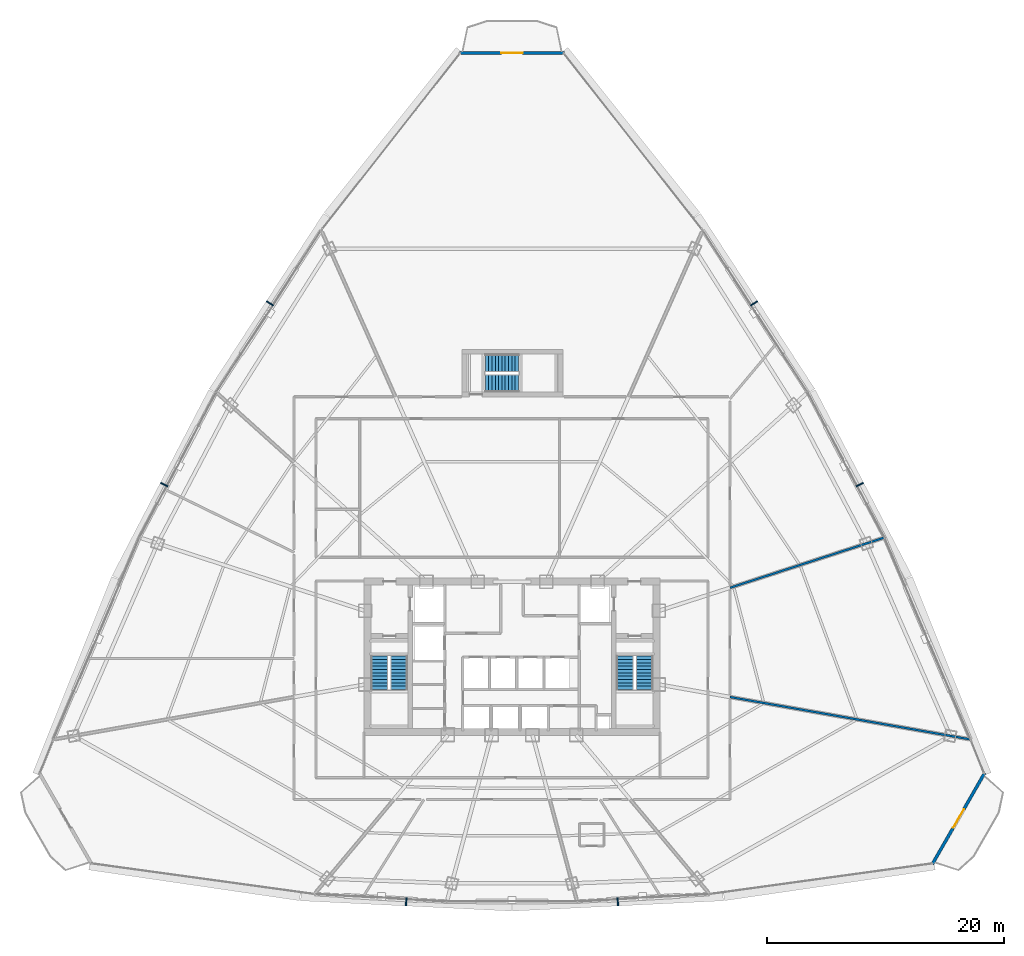
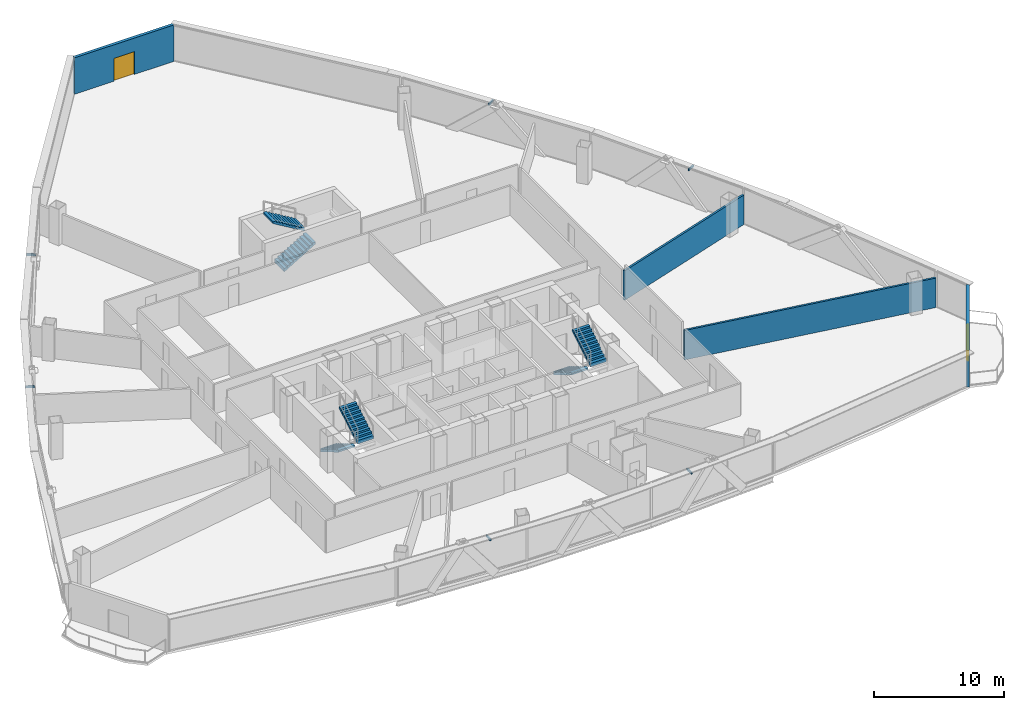
# One storey, part 35 of 39: 6 discrete accessories, 6 stair flights, 4 walls, 2 doors, 2 openings, 3 elements without a shape of their own.
"""IFC4 building model written with IfcOpenShell, lengths in metres."""

from ifc_helpers import new_model, si_unit, direction, frame, frame_2d, origin, origin_with_axes, origin_2d, place, context, subcontext, project, spatial, polyline, rectangle, outline, extrude, source, transform, mapped, material, layer, layer_set, type_object, element, fill, aggregate, save


model = new_model("IFC4")

# Units and contexts
model_context = context("Model", 3, precision=1e-05, world=origin(), true_north=direction((0.0, 1.0)))
body_context = subcontext(model_context, "Body", "Model", "MODEL_VIEW")
ifc_project = project(units=[si_unit("LENGTHUNIT", "METRE"), si_unit("AREAUNIT", "SQUARE_METRE"), si_unit("VOLUMEUNIT", "CUBIC_METRE"), si_unit("PLANEANGLEUNIT", "RADIAN"), si_unit("MASSUNIT", "GRAM", prefix="KILO"), si_unit("THERMODYNAMICTEMPERATUREUNIT", "KELVIN"), si_unit("POWERUNIT", "WATT")], contexts=[model_context])

# Site, building, storey
site_placement = place(None, origin())
site = spatial("IfcSite", under=ifc_project, at=site_placement, CompositionType="ELEMENT")
building_placement = place(site_placement, origin())
building = spatial("IfcBuilding", under=site, at=building_placement, Name="Yunzhuo Pagoda Commons", CompositionType="ELEMENT")
storey_placement = place(building_placement, frame((0.0, 0.0, 148.22998046875)))
storey = spatial("IfcBuildingStorey", under=building, at=storey_placement, Name="L37", CompositionType="ELEMENT", Elevation=148.22998046875)

# Wall, opening, door
ifc_material_1 = material(Name="Precast concrete C40", Category="concrete")
ifc_layer_1 = layer(ifc_material_1, 0.260009765625)
ifc_layer_set_1 = layer_set([ifc_layer_1], Name="Precast concrete C40")
wall_type_1 = type_object("IfcWallType", Name="W-BAL1 Corner Balcony Threshold Wall 260", PredefinedType="STANDARD", material=ifc_layer_set_1)
wall_1_placement = place(storey_placement, frame((83.48779296875, 16.356201171875, 0.0), z_axis=(0.0, 0.0, 1.0), x_axis=(0.497915888941, 0.867225326856, 0.0)))
wall_1 = element("IfcWall", 1, at=wall_1_placement, inside=storey, type_object=wall_type_1, Name="L37 corner balcony wall V2", PredefinedType="STANDARD", context=body_context, shape_type="SweptSolid", body=[
    extrude(rectangle(XDim=8.857666015625, YDim=0.260009765625, at=frame_2d((4.4287109375, 0.0))), origin(), (0.0, 0.0, 1.0), 3.419921875),
])
opening_1_placement = place(wall_1_placement, frame((3.52880859375, 0.0, 0.0)))
opening_1 = element("IfcOpeningElement", 2, at=opening_1_placement, cuts=wall_1, Name="Opening D-BAL1", PredefinedType="OPENING", context=body_context, shape_type="SweptSolid", body=[
    extrude(rectangle(XDim=1.800048828125, YDim=2.14990234375, at=frame_2d((0.89990234375, 1.074951171875))), frame((0.0, 0.14013671875, 0.0), z_axis=(0.0, -1.0, 0.0), x_axis=(1.0, 0.0, 0.0)), (0.0, 0.0, 1.0), 0.280029296875),
])
ifc_material_2 = material(Name="Anodized aluminium frame and tempered glazed leaf", Category="aluminium")
door_type = type_object("IfcDoorType", Name="D-BAL1 Corner Balcony Sliding Glazed Door 1800x2150", OperationType="DOUBLE_DOOR_SLIDING", PredefinedType="DOOR", material=ifc_material_2)
shared_shape_1 = source(origin(), body_context, "Body", "SweptSolid", [
    extrude(rectangle(XDim=1.800048828125, YDim=2.14990234375, at=frame_2d((0.89990234375, 1.074951171875))), frame((0.0, 0.02490234375, 0.0), z_axis=(0.0, -1.0, 0.0), x_axis=(1.0, 0.0, 0.0)), (0.0, 0.0, 1.0), 0.050048828125),
])
door_1_placement = place(opening_1_placement, origin_with_axes())
door_1 = element("IfcDoor", 3, at=door_1_placement, inside=storey, type_object=door_type, Name="L37 corner balcony sliding door V2", OperationType="DOUBLE_DOOR_SLIDING", OverallHeight=2.14990234375, OverallWidth=1.800048828125, PredefinedType="DOOR", context=body_context, shape_type="MappedRepresentation", body=[
    mapped(shared_shape_1, transform((0.0, 0.0, 0.0), scale=1.0)),
])
fill(opening_1, door_1)

wall_2_placement = place(storey_placement, frame((52.4111328125, 84.828369140625, 0.0), z_axis=(0.0, 0.0, 1.0), x_axis=(-1.0, 0.0, 0.0)))
wall_2 = element("IfcWall", 4, at=wall_2_placement, inside=storey, type_object=wall_type_1, Name="L37 corner balcony wall V3", PredefinedType="STANDARD", context=body_context, shape_type="SweptSolid", body=[
    extrude(rectangle(XDim=8.822265625, YDim=0.260009765625, at=frame_2d((4.4111328125, 0.0))), origin(), (0.0, 0.0, 1.0), 3.419921875),
])
opening_2_placement = place(wall_2_placement, frame((3.510986328125, 0.0, 0.0)))
opening_2 = element("IfcOpeningElement", 5, at=opening_2_placement, cuts=wall_2, Name="Opening D-BAL1", PredefinedType="OPENING", context=body_context, shape_type="SweptSolid", body=[
    extrude(rectangle(XDim=1.800048828125, YDim=2.14990234375, at=frame_2d((0.89990234375, 1.074951171875))), frame((0.0, 0.14013671875, 0.0), z_axis=(0.0, -1.0, 0.0), x_axis=(1.0, 0.0, 0.0)), (0.0, 0.0, 1.0), 0.280029296875),
])
door_2_placement = place(opening_2_placement, origin_with_axes())
door_2 = element("IfcDoor", 6, at=door_2_placement, inside=storey, type_object=door_type, Name="L37 corner balcony sliding door V3", OperationType="DOUBLE_DOOR_SLIDING", OverallHeight=2.14990234375, OverallWidth=1.800048828125, PredefinedType="DOOR", context=body_context, shape_type="MappedRepresentation", body=[
    mapped(shared_shape_1, transform((0.0, 0.0, 0.0), scale=1.0)),
])
fill(opening_2, door_2)

# Walls
ifc_material_3 = material(Name="Gypsum plasterboard on acoustic stud")
ifc_layer_2 = layer(ifc_material_3, 0.175048828125)
ifc_layer_set_2 = layer_set([ifc_layer_2], Name="Gypsum plasterboard on acoustic stud")
wall_type_2 = type_object("IfcWallType", Name="W-PRT3 Mid-Zone Demising Wall 175", PredefinedType="PARTITIONING", material=ifc_layer_set_2)
wall_3_placement = place(storey_placement, frame((66.39990234375, 39.678466796875, 0.0), z_axis=(0.0, 0.0, 1.0), x_axis=(0.951057598357, 0.309013664112, 0.0)))
element("IfcWall", 7, at=wall_3_placement, inside=storey, type_object=wall_type_2, Name="L37 interior wall IW-L37-RAD01", PredefinedType="PARTITIONING", context=body_context, shape_type="SweptSolid", body=[
    extrude(rectangle(XDim=13.723388671875, YDim=0.175048828125, at=frame_2d((6.86181640625, 0.0))), origin(), (0.0, 0.0, 1.0), 2.77001953125),
])
wall_4_placement = place(storey_placement, frame((66.39990234375, 30.45556640625, 0.0), z_axis=(0.0, 0.0, 1.0), x_axis=(0.984807623882, -0.173648909998, 0.0)))
element("IfcWall", 8, at=wall_4_placement, inside=storey, type_object=wall_type_2, Name="L37 interior wall IW-L37-RAD14", PredefinedType="PARTITIONING", context=body_context, shape_type="SweptSolid", body=[
    extrude(rectangle(XDim=20.622314453125, YDim=0.175048828125, at=frame_2d((10.31103515625, 0.0))), origin(), (0.0, 0.0, 1.0), 2.77001953125),
])

# Stair, stair flights
ifc_material_4 = material(Name="Concrete C40", Category="concrete")
stair_type_1 = type_object("IfcStairType", Name="ST-C1 Core Smokeproof Stair ST1", PredefinedType="HALF_TURN_STAIR", material=ifc_material_4)
stair_1_placement = place(storey_placement, origin())
stair_1 = element("IfcStair", 9, at=stair_1_placement, inside=storey, type_object=stair_type_1, Name="L37 Core smokeproof stair ST1", PredefinedType="HALF_TURN_STAIR")
stair_flight_type_1 = type_object("IfcStairFlightType", Name="STF-C1 Core Stair Flight 1450", PredefinedType="STRAIGHT", material=ifc_material_4)
shared_shape_2 = source(origin(), body_context, "Body", "SweptSolid", [
    extrude(outline(polyline([(0.0, -0.14990234375), (0.0, 0.0), (0.0, 0.167236328125), (0.280029296875, 0.167236328125), (0.280029296875, 0.33447265625), (0.56005859375, 0.33447265625), (0.56005859375, 0.501708984375), (0.840087890625, 0.501708984375), (0.840087890625, 0.669189453125), (1.1201171875, 0.669189453125), (1.1201171875, 0.83642578125), (1.39990234375, 0.83642578125), (1.39990234375, 1.003662109375), (1.679931640625, 1.003662109375), (1.679931640625, 1.1708984375), (1.9599609375, 1.1708984375), (1.9599609375, 1.338134765625), (2.239990234375, 1.338134765625), (2.239990234375, 1.50537109375), (2.52001953125, 1.50537109375), (2.52001953125, 1.672607421875), (2.800048828125, 1.672607421875), (2.800048828125, 1.840087890625), (2.800048828125, 1.498046875), (0.292236328125, 0.0), (0.050048828125, -0.14990234375), (0.0, -0.14990234375)])), frame((0.0, 0.72509765625, 0.0), z_axis=(0.0, -1.0, 0.0), x_axis=(1.0, 0.0, 0.0)), (0.0, 0.0, 1.0), 1.449951171875),
])
stair_flight_1_placement = place(storey_placement, frame((36.824951171875, 33.89990234375, 0.0), z_axis=(0.0, 0.0, 1.0), x_axis=(0.0, -1.0, 0.0)))
stair_flight_1 = element("IfcStairFlight", 10, at=stair_flight_1_placement, type_object=stair_flight_type_1, Name="ST1 flight 1", NumberOfRisers=11, NumberOfTreads=10, PredefinedType="STRAIGHT", RiserHeight=0.167272727, TreadLength=0.28, context=body_context, shape_type="MappedRepresentation", body=[
    mapped(shared_shape_2, transform((0.0, 0.0, 0.0), scale=1.0)),
])
stair_flight_2_placement = place(storey_placement, frame((38.47509765625, 31.10009765625, 1.840087890625), z_axis=(0.0, 0.0, 1.0), x_axis=(0.0, 1.0, 0.0)))
stair_flight_2 = element("IfcStairFlight", 11, at=stair_flight_2_placement, type_object=stair_flight_type_1, Name="ST1 flight 2", NumberOfRisers=11, NumberOfTreads=10, PredefinedType="STRAIGHT", RiserHeight=0.167272727, TreadLength=0.28, context=body_context, shape_type="MappedRepresentation", body=[
    mapped(shared_shape_2, transform((0.0, 0.0, 0.0), scale=1.0)),
])
aggregate(stair_1, [stair_flight_1, stair_flight_2])

stair_type_2 = type_object("IfcStairType", Name="ST-C2 Core Smokeproof Stair ST2", PredefinedType="HALF_TURN_STAIR", material=ifc_material_4)
stair_2_placement = place(storey_placement, origin())
stair_2 = element("IfcStair", 12, at=stair_2_placement, inside=storey, type_object=stair_type_2, Name="L37 Core smokeproof stair ST2", PredefinedType="HALF_TURN_STAIR")
stair_flight_type_2 = type_object("IfcStairFlightType", Name="STF-C2 Core Stair Flight 1460", PredefinedType="STRAIGHT", material=ifc_material_4)
stair_flight_3_placement = place(storey_placement, frame((57.52490234375, 33.89990234375, 0.0), z_axis=(0.0, 0.0, 1.0), x_axis=(0.0, -1.0, 0.0)))
stair_flight_3 = element("IfcStairFlight", 13, at=stair_flight_3_placement, type_object=stair_flight_type_2, Name="ST2 flight 1", NumberOfRisers=11, NumberOfTreads=10, PredefinedType="STRAIGHT", RiserHeight=0.167272727, TreadLength=0.28, context=body_context, shape_type="MappedRepresentation", body=[
    mapped(shared_shape_2, transform((0.0, 0.0, 0.0), scale=1.0)),
])
stair_flight_4_placement = place(storey_placement, frame((59.175048828125, 31.10009765625, 1.840087890625), z_axis=(0.0, 0.0, 1.0), x_axis=(0.0, 1.0, 0.0)))
stair_flight_4 = element("IfcStairFlight", 14, at=stair_flight_4_placement, type_object=stair_flight_type_2, Name="ST2 flight 2", NumberOfRisers=11, NumberOfTreads=10, PredefinedType="STRAIGHT", RiserHeight=0.167272727, TreadLength=0.28, context=body_context, shape_type="MappedRepresentation", body=[
    mapped(shared_shape_2, transform((0.0, 0.0, 0.0), scale=1.0)),
])
aggregate(stair_2, [stair_flight_3, stair_flight_4])

stair_type_3 = type_object("IfcStairType", Name="ST-C3 North Tower Smokeproof Stair ST3", PredefinedType="HALF_TURN_STAIR", material=ifc_material_4)
stair_3_placement = place(storey_placement, origin())
stair_3 = element("IfcStair", 15, at=stair_3_placement, inside=storey, type_object=stair_type_3, Name="L37 North tower smokeproof stair ST3", PredefinedType="HALF_TURN_STAIR")
stair_flight_type_3 = type_object("IfcStairFlightType", Name="STF-C3 North Stair Flight 1500", PredefinedType="STRAIGHT", material=ifc_material_4)
shared_shape_3 = source(origin(), body_context, "Body", "SweptSolid", [
    extrude(outline(polyline([(0.0, -0.14990234375), (0.0, 0.0), (0.0, 0.167236328125), (0.280029296875, 0.167236328125), (0.280029296875, 0.33447265625), (0.56005859375, 0.33447265625), (0.56005859375, 0.501708984375), (0.840087890625, 0.501708984375), (0.840087890625, 0.669189453125), (1.1201171875, 0.669189453125), (1.1201171875, 0.83642578125), (1.39990234375, 0.83642578125), (1.39990234375, 1.003662109375), (1.679931640625, 1.003662109375), (1.679931640625, 1.1708984375), (1.9599609375, 1.1708984375), (1.9599609375, 1.338134765625), (2.239990234375, 1.338134765625), (2.239990234375, 1.50537109375), (2.52001953125, 1.50537109375), (2.52001953125, 1.672607421875), (2.800048828125, 1.672607421875), (2.800048828125, 1.840087890625), (2.800048828125, 1.498046875), (0.292236328125, 0.0), (0.050048828125, -0.14990234375), (0.0, -0.14990234375)])), frame((0.0, 0.75, 0.0), z_axis=(0.0, -1.0, 0.0), x_axis=(1.0, 0.0, 0.0)), (0.0, 0.0, 1.0), 1.5),
])
stair_flight_5_placement = place(storey_placement, frame((45.75, 56.949951171875, 0.0), z_axis=(0.0, 0.0, 1.0), x_axis=(1.0, 0.0, 0.0)))
stair_flight_5 = element("IfcStairFlight", 16, at=stair_flight_5_placement, type_object=stair_flight_type_3, Name="ST3 flight 1", NumberOfRisers=11, NumberOfTreads=10, PredefinedType="STRAIGHT", RiserHeight=0.167272727, TreadLength=0.28, context=body_context, shape_type="MappedRepresentation", body=[
    mapped(shared_shape_3, transform((0.0, 0.0, 0.0), scale=1.0)),
])
stair_flight_6_placement = place(storey_placement, frame((48.550048828125, 58.64990234375, 1.840087890625), z_axis=(0.0, 0.0, 1.0), x_axis=(-1.0, 0.0, 0.0)))
stair_flight_6 = element("IfcStairFlight", 17, at=stair_flight_6_placement, type_object=stair_flight_type_3, Name="ST3 flight 2", NumberOfRisers=11, NumberOfTreads=10, PredefinedType="STRAIGHT", RiserHeight=0.167272727, TreadLength=0.28, context=body_context, shape_type="MappedRepresentation", body=[
    mapped(shared_shape_3, transform((0.0, 0.0, 0.0), scale=1.0)),
])
aggregate(stair_3, [stair_flight_5, stair_flight_6])

# Discrete accessories
ifc_material_5 = material(Name="Anodized aluminium 6063-T6", Category="aluminium")
discrete_accessory_type = type_object("IfcDiscreteAccessoryType", Name="BK-SUN1 Sunshade Outrigger Bracket", PredefinedType="BRACKET", material=ifc_material_5)
shared_shape_4 = source(origin(), body_context, "Body", "SweptSolid", [
    extrude(rectangle(XDim=0.1201171875, YDim=0.679931640625, at=origin_2d()), origin(), (0.0, 0.0, 1.0), 0.179931640625),
])
for number, where, z_axis, x_axis, name in (
    (18, (39.071533203125, 13.183837890625, 3.2099609375), (0.0, 0.0, 1.0), (0.998818043775, -0.04860571396, 0.0), "L37 sunshade outrigger bracket F1.2"),
    (19, (56.928466796875, 13.183837890625, 3.2099609375), (0.0, 0.0, 1.0), (0.998818043775, 0.04860571396, 0.0), "L37 sunshade outrigger bracket F1.3"),
    (20, (77.359130859375, 48.385009765625, 3.2099609375), (0.0, 0.0, 1.0), (-0.461206683033, 0.88729273384, 0.0), "L37 sunshade outrigger bracket F2.2"),
    (21, (68.4306640625, 63.680908203125, 3.2099609375), (0.0, 0.0, 1.0), (-0.545853380833, 0.837880711458, 0.0), "L37 sunshade outrigger bracket F2.3"),
    (22, (27.5693359375, 63.680908203125, 3.2099609375), (0.0, 0.0, 1.0), (-0.545853380833, -0.837880711458, 0.0), "L37 sunshade outrigger bracket F3.2"),
    (23, (18.640869140625, 48.385009765625, 3.2099609375), (0.0, 0.0, 1.0), (-0.461206683033, -0.88729273384, 0.0), "L37 sunshade outrigger bracket F3.3"),
):
    element("IfcDiscreteAccessory", number, at=place(storey_placement, frame(where, z_axis=z_axis, x_axis=x_axis)), inside=storey, type_object=discrete_accessory_type, Name=name, PredefinedType="BRACKET", context=body_context, shape_type="MappedRepresentation", body=[
        mapped(shared_shape_4, transform((0.0, 0.0, 0.0), scale=1.0)),
    ])

save(model, "model.ifc")
